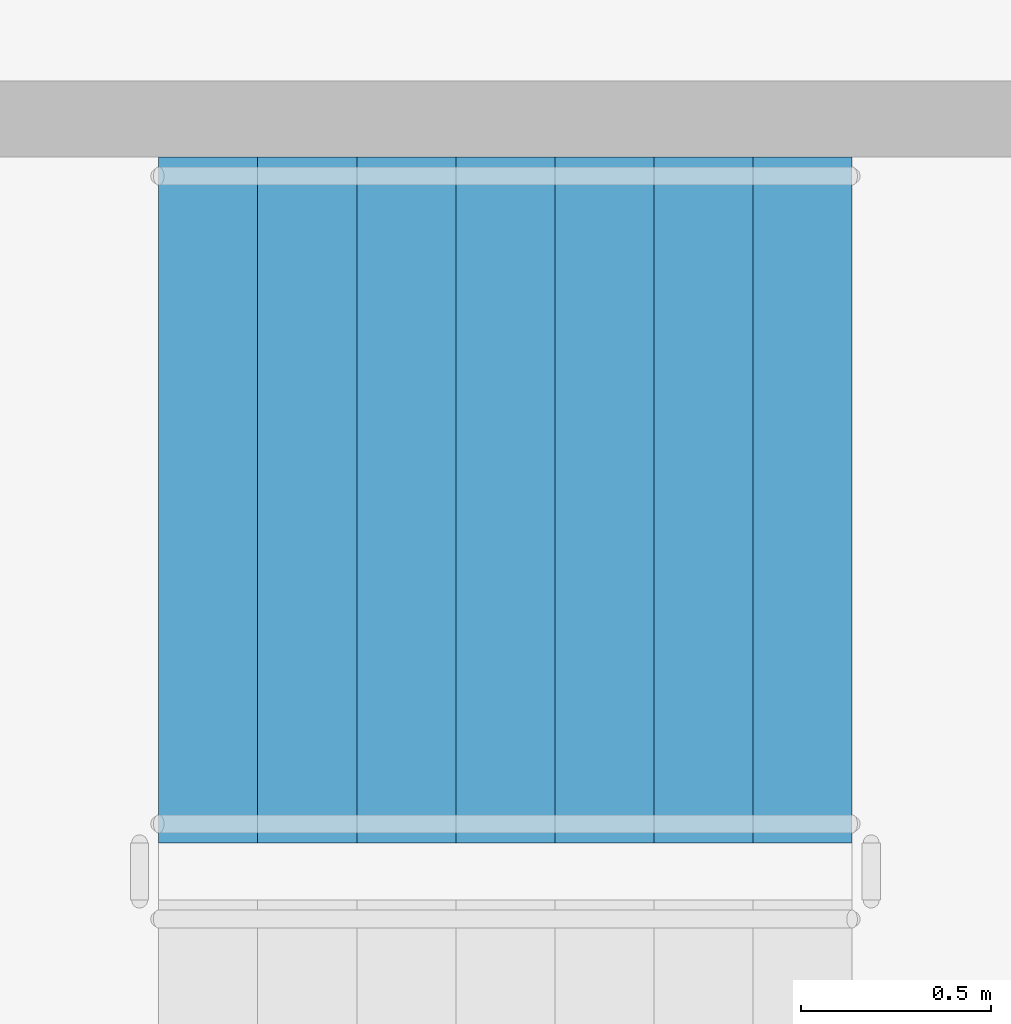
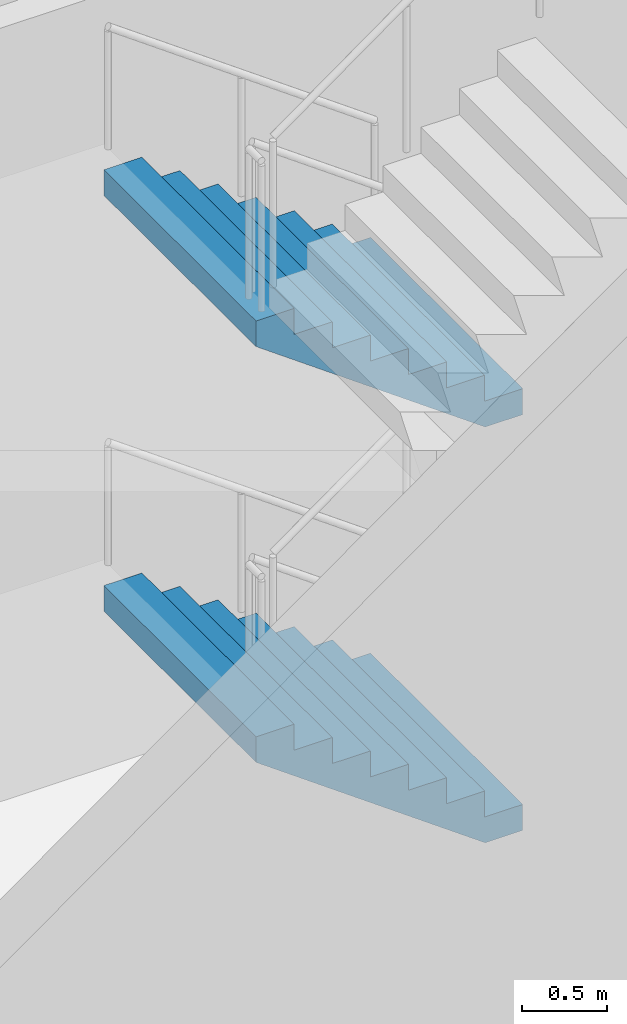
# One storey, part 61 of 75: 2 stair flights, 1 element without a shape of its own.
"""IFC4 building model written with IfcOpenShell, lengths in metres."""

from ifc_helpers import new_model, si_unit, direction, frame, origin, place, context, subcontext, project, spatial, faceted_brep, material, type_object, element, aggregate, save


model = new_model("IFC4")

# Units and contexts
model_context = context("Model", 3, precision=1e-05, world=origin(), true_north=direction((0.0, 1.0)))
body_context = subcontext(model_context, "Body", "Model", "MODEL_VIEW")
ifc_project = project(units=[si_unit("LENGTHUNIT", "METRE"), si_unit("AREAUNIT", "SQUARE_METRE"), si_unit("VOLUMEUNIT", "CUBIC_METRE"), si_unit("PLANEANGLEUNIT", "RADIAN"), si_unit("MASSUNIT", "GRAM", prefix="KILO")], contexts=[model_context])

# Site, building, storey
site_placement = place(None, origin())
site = spatial("IfcSite", under=ifc_project, at=site_placement, CompositionType="ELEMENT")
building_placement = place(site_placement, origin())
building = spatial("IfcBuilding", under=site, at=building_placement, Name="Ipe Terrace Towers", CompositionType="ELEMENT")
storey_placement = place(building_placement, origin())
storey = spatial("IfcBuildingStorey", under=building, at=storey_placement, Name="L00", CompositionType="ELEMENT", Elevation=0.0)

# Stair, stair flights
ifc_material_1 = material(Name="Concrete C30/37", Category="concrete")
stair_type = type_object("IfcStairType", Name="Protected exit stair", PredefinedType="HALF_TURN_STAIR", material=ifc_material_1)
stair_placement = place(storey_placement, origin())
stair = element("IfcStair", 1, at=stair_placement, inside=storey, type_object=stair_type, Name="L00 Podium exit stair PS3", PredefinedType="HALF_TURN_STAIR")
ifc_material_2 = material(Name="Concrete C30/37", Category="concrete")
stair_flight_type = type_object("IfcStairFlightType", Name="Exit stair flight 1800", PredefinedType="STRAIGHT", material=ifc_material_2)
stair_flight_1_placement = place(storey_placement, frame((52.77001953125, 25.5, 0.0), z_axis=(0.0, 0.0, 1.0), x_axis=(-1.0, 0.0, 0.0)))
stair_flight_1 = element("IfcStairFlight", 2, at=stair_flight_1_placement, type_object=stair_flight_type, Name="PS3 flight 1", NumberOfRisers=8, NumberOfTreads=7, PredefinedType="STRAIGHT", RiserHeight=0.1875, TreadLength=0.26, context=body_context, shape_type="Brep", body=[
    faceted_brep([(0.25634765625, -0.89990234375, 0.0), (1.820068359375, -0.89990234375, 1.127685546875), (1.820068359375, -0.89990234375, 1.3125), (1.56005859375, -0.89990234375, 1.3125), (1.56005859375, -0.89990234375, 1.125), (1.300048828125, -0.89990234375, 1.125), (1.300048828125, -0.89990234375, 0.9375), (1.0400390625, -0.89990234375, 0.9375), (1.0400390625, -0.89990234375, 0.75), (0.780029296875, -0.89990234375, 0.75), (0.780029296875, -0.89990234375, 0.5625), (0.52001953125, -0.89990234375, 0.5625), (0.52001953125, -0.89990234375, 0.375), (0.260009765625, -0.89990234375, 0.375), (0.260009765625, -0.89990234375, 0.1875), (0.0, -0.89990234375, 0.1875), (0.0, -0.89990234375, 0.0), (0.0, 0.89990234375, 0.0), (0.0, 0.89990234375, 0.1875), (0.260009765625, 0.89990234375, 0.1875), (0.260009765625, 0.89990234375, 0.375), (0.52001953125, 0.89990234375, 0.375), (0.52001953125, 0.89990234375, 0.5625), (0.780029296875, 0.89990234375, 0.5625), (0.780029296875, 0.89990234375, 0.75), (1.0400390625, 0.89990234375, 0.75), (1.0400390625, 0.89990234375, 0.9375), (1.300048828125, 0.89990234375, 0.9375), (1.300048828125, 0.89990234375, 1.125), (1.56005859375, 0.89990234375, 1.125), (1.56005859375, 0.89990234375, 1.3125), (1.820068359375, 0.89990234375, 1.3125), (1.820068359375, 0.89990234375, 1.127685546875), (0.25634765625, 0.89990234375, 0.0), (0.0, -0.300048828125, 0.1875), (0.0, -0.1201171875, 0.1875), (0.0, -0.06005859375, 0.1875), (0.0, -0.030029296875, 0.1875), (0.0, -0.010009765625, 0.1875), (0.0, 0.0, 0.1875), (0.0, 0.010009765625, 0.1875), (0.0, 0.030029296875, 0.1875), (0.0, 0.06005859375, 0.1875), (0.0, 0.1201171875, 0.1875), (0.0, 0.300048828125, 0.1875), (0.0, 0.300048828125, 0.0), (0.0, 0.1201171875, 0.0), (0.0, 0.06005859375, 0.0), (0.0, 0.030029296875, 0.0), (0.0, 0.010009765625, 0.0), (0.0, 0.0, 0.0), (0.0, -0.010009765625, 0.0), (0.0, -0.030029296875, 0.0), (0.0, -0.06005859375, 0.0), (0.0, -0.1201171875, 0.0), (0.0, -0.300048828125, 0.0), (0.260009765625, -0.300048828125, 0.1875), (0.260009765625, -0.1201171875, 0.1875), (0.260009765625, -0.06005859375, 0.1875), (0.260009765625, -0.030029296875, 0.1875), (0.260009765625, -0.010009765625, 0.1875), (0.260009765625, 0.0, 0.1875), (0.260009765625, 0.010009765625, 0.1875), (0.260009765625, 0.030029296875, 0.1875), (0.260009765625, 0.06005859375, 0.1875), (0.260009765625, 0.1201171875, 0.1875), (0.260009765625, 0.300048828125, 0.1875), (0.260009765625, -0.300048828125, 0.375), (0.260009765625, -0.1201171875, 0.375), (0.260009765625, -0.06005859375, 0.375), (0.260009765625, -0.030029296875, 0.375), (0.260009765625, -0.010009765625, 0.375), (0.260009765625, 0.0, 0.375), (0.260009765625, 0.010009765625, 0.375), (0.260009765625, 0.030029296875, 0.375), (0.260009765625, 0.06005859375, 0.375), (0.260009765625, 0.1201171875, 0.375), (0.260009765625, 0.300048828125, 0.375), (0.52001953125, -0.300048828125, 0.375), (0.52001953125, -0.1201171875, 0.375), (0.52001953125, -0.06005859375, 0.375), (0.52001953125, -0.030029296875, 0.375), (0.52001953125, -0.010009765625, 0.375), (0.52001953125, 0.0, 0.375), (0.52001953125, 0.010009765625, 0.375), (0.52001953125, 0.030029296875, 0.375), (0.52001953125, 0.06005859375, 0.375), (0.52001953125, 0.1201171875, 0.375), (0.52001953125, 0.300048828125, 0.375), (0.52001953125, -0.300048828125, 0.5625), (0.52001953125, -0.1201171875, 0.5625), (0.52001953125, -0.06005859375, 0.5625), (0.52001953125, -0.030029296875, 0.5625), (0.52001953125, -0.010009765625, 0.5625), (0.52001953125, 0.0, 0.5625), (0.52001953125, 0.010009765625, 0.5625), (0.52001953125, 0.030029296875, 0.5625), (0.52001953125, 0.06005859375, 0.5625), (0.52001953125, 0.1201171875, 0.5625), (0.52001953125, 0.300048828125, 0.5625), (0.780029296875, -0.300048828125, 0.5625), (0.780029296875, -0.1201171875, 0.5625), (0.780029296875, -0.06005859375, 0.5625), (0.780029296875, -0.030029296875, 0.5625), (0.780029296875, -0.010009765625, 0.5625), (0.780029296875, 0.0, 0.5625), (0.780029296875, 0.010009765625, 0.5625), (0.780029296875, 0.030029296875, 0.5625), (0.780029296875, 0.06005859375, 0.5625), (0.780029296875, 0.1201171875, 0.5625), (0.780029296875, 0.300048828125, 0.5625), (0.780029296875, -0.300048828125, 0.75), (0.780029296875, -0.1201171875, 0.75), (0.780029296875, -0.06005859375, 0.75), (0.780029296875, -0.030029296875, 0.75), (0.780029296875, -0.010009765625, 0.75), (0.780029296875, 0.0, 0.75), (0.780029296875, 0.010009765625, 0.75), (0.780029296875, 0.030029296875, 0.75), (0.780029296875, 0.06005859375, 0.75), (0.780029296875, 0.1201171875, 0.75), (0.780029296875, 0.300048828125, 0.75), (1.0400390625, -0.300048828125, 0.75), (1.0400390625, -0.1201171875, 0.75), (1.0400390625, -0.06005859375, 0.75), (1.0400390625, -0.030029296875, 0.75), (1.0400390625, -0.010009765625, 0.75), (1.0400390625, 0.0, 0.75), (1.0400390625, 0.010009765625, 0.75), (1.0400390625, 0.030029296875, 0.75), (1.0400390625, 0.06005859375, 0.75), (1.0400390625, 0.1201171875, 0.75), (1.0400390625, 0.300048828125, 0.75), (1.0400390625, -0.300048828125, 0.9375), (1.0400390625, -0.1201171875, 0.9375), (1.0400390625, -0.06005859375, 0.9375), (1.0400390625, -0.030029296875, 0.9375), (1.0400390625, -0.010009765625, 0.9375), (1.0400390625, 0.0, 0.9375), (1.0400390625, 0.010009765625, 0.9375), (1.0400390625, 0.030029296875, 0.9375), (1.0400390625, 0.06005859375, 0.9375), (1.0400390625, 0.1201171875, 0.9375), (1.0400390625, 0.300048828125, 0.9375), (1.300048828125, -0.300048828125, 0.9375), (1.300048828125, -0.1201171875, 0.9375), (1.300048828125, -0.06005859375, 0.9375), (1.300048828125, -0.030029296875, 0.9375), (1.300048828125, -0.010009765625, 0.9375), (1.300048828125, 0.0, 0.9375), (1.300048828125, 0.010009765625, 0.9375), (1.300048828125, 0.030029296875, 0.9375), (1.300048828125, 0.06005859375, 0.9375), (1.300048828125, 0.1201171875, 0.9375), (1.300048828125, 0.300048828125, 0.9375), (1.300048828125, -0.300048828125, 1.125), (1.300048828125, -0.1201171875, 1.125), (1.300048828125, -0.06005859375, 1.125), (1.300048828125, -0.030029296875, 1.125), (1.300048828125, -0.010009765625, 1.125), (1.300048828125, 0.0, 1.125), (1.300048828125, 0.010009765625, 1.125), (1.300048828125, 0.030029296875, 1.125), (1.300048828125, 0.06005859375, 1.125), (1.300048828125, 0.1201171875, 1.125), (1.300048828125, 0.300048828125, 1.125), (1.56005859375, -0.300048828125, 1.125), (1.56005859375, -0.1201171875, 1.125), (1.56005859375, -0.06005859375, 1.125), (1.56005859375, -0.030029296875, 1.125), (1.56005859375, -0.010009765625, 1.125), (1.56005859375, 0.0, 1.125), (1.56005859375, 0.010009765625, 1.125), (1.56005859375, 0.030029296875, 1.125), (1.56005859375, 0.06005859375, 1.125), (1.56005859375, 0.1201171875, 1.125), (1.56005859375, 0.300048828125, 1.125), (1.56005859375, -0.300048828125, 1.3125), (1.56005859375, -0.1201171875, 1.3125), (1.56005859375, -0.06005859375, 1.3125), (1.56005859375, -0.030029296875, 1.3125), (1.56005859375, -0.010009765625, 1.3125), (1.56005859375, 0.0, 1.3125), (1.56005859375, 0.010009765625, 1.3125), (1.56005859375, 0.030029296875, 1.3125), (1.56005859375, 0.06005859375, 1.3125), (1.56005859375, 0.1201171875, 1.3125), (1.56005859375, 0.300048828125, 1.3125), (1.820068359375, -0.300048828125, 1.3125), (1.820068359375, -0.1201171875, 1.3125), (1.820068359375, -0.06005859375, 1.3125), (1.820068359375, -0.030029296875, 1.3125), (1.820068359375, -0.010009765625, 1.3125), (1.820068359375, 0.0, 1.3125), (1.820068359375, 0.010009765625, 1.3125), (1.820068359375, 0.030029296875, 1.3125), (1.820068359375, 0.06005859375, 1.3125), (1.820068359375, 0.1201171875, 1.3125), (1.820068359375, 0.300048828125, 1.3125), (1.820068359375, -0.300048828125, 1.127685546875), (1.820068359375, -0.1201171875, 1.127685546875), (1.820068359375, -0.06005859375, 1.127685546875), (1.820068359375, -0.030029296875, 1.127685546875), (1.820068359375, -0.010009765625, 1.127685546875), (1.820068359375, 0.0, 1.127685546875), (1.820068359375, 0.010009765625, 1.127685546875), (1.820068359375, 0.030029296875, 1.127685546875), (1.820068359375, 0.06005859375, 1.127685546875), (1.820068359375, 0.1201171875, 1.127685546875), (1.820068359375, 0.300048828125, 1.127685546875), (0.25634765625, -0.300048828125, 0.0), (0.25634765625, -0.1201171875, 0.0), (0.25634765625, -0.06005859375, 0.0), (0.25634765625, -0.030029296875, 0.0), (0.25634765625, -0.010009765625, 0.0), (0.25634765625, 0.0, 0.0), (0.25634765625, 0.010009765625, 0.0), (0.25634765625, 0.030029296875, 0.0), (0.25634765625, 0.06005859375, 0.0), (0.25634765625, 0.1201171875, 0.0), (0.25634765625, 0.300048828125, 0.0)], [[[0, 1, 2, 3, 4, 5, 6, 7, 8, 9, 10, 11, 12, 13, 14, 15, 16]], [[17, 18, 19, 20, 21, 22, 23, 24, 25, 26, 27, 28, 29, 30, 31, 32, 33]], [[15, 34, 35, 36, 37, 38, 39, 40, 41, 42, 43, 44, 18, 17, 45, 46, 47, 48, 49, 50, 51, 52, 53, 54, 55, 16]], [[14, 56, 57, 58, 59, 60, 61, 62, 63, 64, 65, 66, 19, 18, 44, 43, 42, 41, 40, 39, 38, 37, 36, 35, 34, 15]], [[13, 67, 68, 69, 70, 71, 72, 73, 74, 75, 76, 77, 20, 19, 66, 65, 64, 63, 62, 61, 60, 59, 58, 57, 56, 14]], [[12, 78, 79, 80, 81, 82, 83, 84, 85, 86, 87, 88, 21, 20, 77, 76, 75, 74, 73, 72, 71, 70, 69, 68, 67, 13]], [[11, 89, 90, 91, 92, 93, 94, 95, 96, 97, 98, 99, 22, 21, 88, 87, 86, 85, 84, 83, 82, 81, 80, 79, 78, 12]], [[10, 100, 101, 102, 103, 104, 105, 106, 107, 108, 109, 110, 23, 22, 99, 98, 97, 96, 95, 94, 93, 92, 91, 90, 89, 11]], [[9, 111, 112, 113, 114, 115, 116, 117, 118, 119, 120, 121, 24, 23, 110, 109, 108, 107, 106, 105, 104, 103, 102, 101, 100, 10]], [[8, 122, 123, 124, 125, 126, 127, 128, 129, 130, 131, 132, 25, 24, 121, 120, 119, 118, 117, 116, 115, 114, 113, 112, 111, 9]], [[7, 133, 134, 135, 136, 137, 138, 139, 140, 141, 142, 143, 26, 25, 132, 131, 130, 129, 128, 127, 126, 125, 124, 123, 122, 8]], [[6, 144, 145, 146, 147, 148, 149, 150, 151, 152, 153, 154, 27, 26, 143, 142, 141, 140, 139, 138, 137, 136, 135, 134, 133, 7]], [[5, 155, 156, 157, 158, 159, 160, 161, 162, 163, 164, 165, 28, 27, 154, 153, 152, 151, 150, 149, 148, 147, 146, 145, 144, 6]], [[4, 166, 167, 168, 169, 170, 171, 172, 173, 174, 175, 176, 29, 28, 165, 164, 163, 162, 161, 160, 159, 158, 157, 156, 155, 5]], [[3, 177, 178, 179, 180, 181, 182, 183, 184, 185, 186, 187, 30, 29, 176, 175, 174, 173, 172, 171, 170, 169, 168, 167, 166, 4]], [[2, 188, 189, 190, 191, 192, 193, 194, 195, 196, 197, 198, 31, 30, 187, 186, 185, 184, 183, 182, 181, 180, 179, 178, 177, 3]], [[1, 199, 200, 201, 202, 203, 204, 205, 206, 207, 208, 209, 32, 31, 198, 197, 196, 195, 194, 193, 192, 191, 190, 189, 188, 2]], [[0, 210, 211, 212, 213, 214, 215, 216, 217, 218, 219, 220, 33, 32, 209, 208, 207, 206, 205, 204, 203, 202, 201, 200, 199, 1]], [[16, 55, 54, 53, 52, 51, 50, 49, 48, 47, 46, 45, 17, 33, 220, 219, 218, 217, 216, 215, 214, 213, 212, 211, 210, 0]]]),
])
stair_flight_2_placement = place(storey_placement, frame((52.77001953125, 25.5, 3.0), z_axis=(0.0, 0.0, 1.0), x_axis=(-1.0, 0.0, 0.0)))
stair_flight_2 = element("IfcStairFlight", 3, at=stair_flight_2_placement, type_object=stair_flight_type, Name="PS3 flight 3", NumberOfRisers=8, NumberOfTreads=7, PredefinedType="STRAIGHT", RiserHeight=0.1875, TreadLength=0.26, context=body_context, shape_type="Brep", body=[
    faceted_brep([(0.25634765625, -0.89990234375, 0.0), (1.820068359375, -0.89990234375, 1.127685546875), (1.820068359375, -0.89990234375, 1.3125), (1.56005859375, -0.89990234375, 1.3125), (1.56005859375, -0.89990234375, 1.125), (1.300048828125, -0.89990234375, 1.125), (1.300048828125, -0.89990234375, 0.9375), (1.0400390625, -0.89990234375, 0.9375), (1.0400390625, -0.89990234375, 0.75), (0.780029296875, -0.89990234375, 0.75), (0.780029296875, -0.89990234375, 0.5625), (0.52001953125, -0.89990234375, 0.5625), (0.52001953125, -0.89990234375, 0.375), (0.260009765625, -0.89990234375, 0.375), (0.260009765625, -0.89990234375, 0.1875), (0.0, -0.89990234375, 0.1875), (0.0, -0.89990234375, 0.0), (0.0, 0.89990234375, 0.0), (0.0, 0.89990234375, 0.1875), (0.260009765625, 0.89990234375, 0.1875), (0.260009765625, 0.89990234375, 0.375), (0.52001953125, 0.89990234375, 0.375), (0.52001953125, 0.89990234375, 0.5625), (0.780029296875, 0.89990234375, 0.5625), (0.780029296875, 0.89990234375, 0.75), (1.0400390625, 0.89990234375, 0.75), (1.0400390625, 0.89990234375, 0.9375), (1.300048828125, 0.89990234375, 0.9375), (1.300048828125, 0.89990234375, 1.125), (1.56005859375, 0.89990234375, 1.125), (1.56005859375, 0.89990234375, 1.3125), (1.820068359375, 0.89990234375, 1.3125), (1.820068359375, 0.89990234375, 1.127685546875), (0.25634765625, 0.89990234375, 0.0), (0.0, -0.300048828125, 0.1875), (0.0, -0.1201171875, 0.1875), (0.0, -0.06005859375, 0.1875), (0.0, -0.030029296875, 0.1875), (0.0, -0.010009765625, 0.1875), (0.0, 0.0, 0.1875), (0.0, 0.010009765625, 0.1875), (0.0, 0.030029296875, 0.1875), (0.0, 0.06005859375, 0.1875), (0.0, 0.1201171875, 0.1875), (0.0, 0.300048828125, 0.1875), (0.0, 0.300048828125, 0.0), (0.0, 0.1201171875, 0.0), (0.0, 0.06005859375, 0.0), (0.0, 0.030029296875, 0.0), (0.0, 0.010009765625, 0.0), (0.0, 0.0, 0.0), (0.0, -0.010009765625, 0.0), (0.0, -0.030029296875, 0.0), (0.0, -0.06005859375, 0.0), (0.0, -0.1201171875, 0.0), (0.0, -0.300048828125, 0.0), (0.260009765625, -0.300048828125, 0.1875), (0.260009765625, -0.1201171875, 0.1875), (0.260009765625, -0.06005859375, 0.1875), (0.260009765625, -0.030029296875, 0.1875), (0.260009765625, -0.010009765625, 0.1875), (0.260009765625, 0.0, 0.1875), (0.260009765625, 0.010009765625, 0.1875), (0.260009765625, 0.030029296875, 0.1875), (0.260009765625, 0.06005859375, 0.1875), (0.260009765625, 0.1201171875, 0.1875), (0.260009765625, 0.300048828125, 0.1875), (0.260009765625, -0.300048828125, 0.375), (0.260009765625, -0.1201171875, 0.375), (0.260009765625, -0.06005859375, 0.375), (0.260009765625, -0.030029296875, 0.375), (0.260009765625, -0.010009765625, 0.375), (0.260009765625, 0.0, 0.375), (0.260009765625, 0.010009765625, 0.375), (0.260009765625, 0.030029296875, 0.375), (0.260009765625, 0.06005859375, 0.375), (0.260009765625, 0.1201171875, 0.375), (0.260009765625, 0.300048828125, 0.375), (0.52001953125, -0.300048828125, 0.375), (0.52001953125, -0.1201171875, 0.375), (0.52001953125, -0.06005859375, 0.375), (0.52001953125, -0.030029296875, 0.375), (0.52001953125, -0.010009765625, 0.375), (0.52001953125, 0.0, 0.375), (0.52001953125, 0.010009765625, 0.375), (0.52001953125, 0.030029296875, 0.375), (0.52001953125, 0.06005859375, 0.375), (0.52001953125, 0.1201171875, 0.375), (0.52001953125, 0.300048828125, 0.375), (0.52001953125, -0.300048828125, 0.5625), (0.52001953125, -0.1201171875, 0.5625), (0.52001953125, -0.06005859375, 0.5625), (0.52001953125, -0.030029296875, 0.5625), (0.52001953125, -0.010009765625, 0.5625), (0.52001953125, 0.0, 0.5625), (0.52001953125, 0.010009765625, 0.5625), (0.52001953125, 0.030029296875, 0.5625), (0.52001953125, 0.06005859375, 0.5625), (0.52001953125, 0.1201171875, 0.5625), (0.52001953125, 0.300048828125, 0.5625), (0.780029296875, -0.300048828125, 0.5625), (0.780029296875, -0.1201171875, 0.5625), (0.780029296875, -0.06005859375, 0.5625), (0.780029296875, -0.030029296875, 0.5625), (0.780029296875, -0.010009765625, 0.5625), (0.780029296875, 0.0, 0.5625), (0.780029296875, 0.010009765625, 0.5625), (0.780029296875, 0.030029296875, 0.5625), (0.780029296875, 0.06005859375, 0.5625), (0.780029296875, 0.1201171875, 0.5625), (0.780029296875, 0.300048828125, 0.5625), (0.780029296875, -0.300048828125, 0.75), (0.780029296875, -0.1201171875, 0.75), (0.780029296875, -0.06005859375, 0.75), (0.780029296875, -0.030029296875, 0.75), (0.780029296875, -0.010009765625, 0.75), (0.780029296875, 0.0, 0.75), (0.780029296875, 0.010009765625, 0.75), (0.780029296875, 0.030029296875, 0.75), (0.780029296875, 0.06005859375, 0.75), (0.780029296875, 0.1201171875, 0.75), (0.780029296875, 0.300048828125, 0.75), (1.0400390625, -0.300048828125, 0.75), (1.0400390625, -0.1201171875, 0.75), (1.0400390625, -0.06005859375, 0.75), (1.0400390625, -0.030029296875, 0.75), (1.0400390625, -0.010009765625, 0.75), (1.0400390625, 0.0, 0.75), (1.0400390625, 0.010009765625, 0.75), (1.0400390625, 0.030029296875, 0.75), (1.0400390625, 0.06005859375, 0.75), (1.0400390625, 0.1201171875, 0.75), (1.0400390625, 0.300048828125, 0.75), (1.0400390625, -0.300048828125, 0.9375), (1.0400390625, -0.1201171875, 0.9375), (1.0400390625, -0.06005859375, 0.9375), (1.0400390625, -0.030029296875, 0.9375), (1.0400390625, -0.010009765625, 0.9375), (1.0400390625, 0.0, 0.9375), (1.0400390625, 0.010009765625, 0.9375), (1.0400390625, 0.030029296875, 0.9375), (1.0400390625, 0.06005859375, 0.9375), (1.0400390625, 0.1201171875, 0.9375), (1.0400390625, 0.300048828125, 0.9375), (1.300048828125, -0.300048828125, 0.9375), (1.300048828125, -0.1201171875, 0.9375), (1.300048828125, -0.06005859375, 0.9375), (1.300048828125, -0.030029296875, 0.9375), (1.300048828125, -0.010009765625, 0.9375), (1.300048828125, 0.0, 0.9375), (1.300048828125, 0.010009765625, 0.9375), (1.300048828125, 0.030029296875, 0.9375), (1.300048828125, 0.06005859375, 0.9375), (1.300048828125, 0.1201171875, 0.9375), (1.300048828125, 0.300048828125, 0.9375), (1.300048828125, -0.300048828125, 1.125), (1.300048828125, -0.1201171875, 1.125), (1.300048828125, -0.06005859375, 1.125), (1.300048828125, -0.030029296875, 1.125), (1.300048828125, -0.010009765625, 1.125), (1.300048828125, 0.0, 1.125), (1.300048828125, 0.010009765625, 1.125), (1.300048828125, 0.030029296875, 1.125), (1.300048828125, 0.06005859375, 1.125), (1.300048828125, 0.1201171875, 1.125), (1.300048828125, 0.300048828125, 1.125), (1.56005859375, -0.300048828125, 1.125), (1.56005859375, -0.1201171875, 1.125), (1.56005859375, -0.06005859375, 1.125), (1.56005859375, -0.030029296875, 1.125), (1.56005859375, -0.010009765625, 1.125), (1.56005859375, 0.0, 1.125), (1.56005859375, 0.010009765625, 1.125), (1.56005859375, 0.030029296875, 1.125), (1.56005859375, 0.06005859375, 1.125), (1.56005859375, 0.1201171875, 1.125), (1.56005859375, 0.300048828125, 1.125), (1.56005859375, -0.300048828125, 1.3125), (1.56005859375, -0.1201171875, 1.3125), (1.56005859375, -0.06005859375, 1.3125), (1.56005859375, -0.030029296875, 1.3125), (1.56005859375, -0.010009765625, 1.3125), (1.56005859375, 0.0, 1.3125), (1.56005859375, 0.010009765625, 1.3125), (1.56005859375, 0.030029296875, 1.3125), (1.56005859375, 0.06005859375, 1.3125), (1.56005859375, 0.1201171875, 1.3125), (1.56005859375, 0.300048828125, 1.3125), (1.820068359375, -0.300048828125, 1.3125), (1.820068359375, -0.1201171875, 1.3125), (1.820068359375, -0.06005859375, 1.3125), (1.820068359375, -0.030029296875, 1.3125), (1.820068359375, -0.010009765625, 1.3125), (1.820068359375, 0.0, 1.3125), (1.820068359375, 0.010009765625, 1.3125), (1.820068359375, 0.030029296875, 1.3125), (1.820068359375, 0.06005859375, 1.3125), (1.820068359375, 0.1201171875, 1.3125), (1.820068359375, 0.300048828125, 1.3125), (1.820068359375, -0.300048828125, 1.127685546875), (1.820068359375, -0.1201171875, 1.127685546875), (1.820068359375, -0.06005859375, 1.127685546875), (1.820068359375, -0.030029296875, 1.127685546875), (1.820068359375, -0.010009765625, 1.127685546875), (1.820068359375, 0.0, 1.127685546875), (1.820068359375, 0.010009765625, 1.127685546875), (1.820068359375, 0.030029296875, 1.127685546875), (1.820068359375, 0.06005859375, 1.127685546875), (1.820068359375, 0.1201171875, 1.127685546875), (1.820068359375, 0.300048828125, 1.127685546875), (0.25634765625, -0.300048828125, 0.0), (0.25634765625, -0.1201171875, 0.0), (0.25634765625, -0.06005859375, 0.0), (0.25634765625, -0.030029296875, 0.0), (0.25634765625, -0.010009765625, 0.0), (0.25634765625, 0.0, 0.0), (0.25634765625, 0.010009765625, 0.0), (0.25634765625, 0.030029296875, 0.0), (0.25634765625, 0.06005859375, 0.0), (0.25634765625, 0.1201171875, 0.0), (0.25634765625, 0.300048828125, 0.0)], [[[0, 1, 2, 3, 4, 5, 6, 7, 8, 9, 10, 11, 12, 13, 14, 15, 16]], [[17, 18, 19, 20, 21, 22, 23, 24, 25, 26, 27, 28, 29, 30, 31, 32, 33]], [[15, 34, 35, 36, 37, 38, 39, 40, 41, 42, 43, 44, 18, 17, 45, 46, 47, 48, 49, 50, 51, 52, 53, 54, 55, 16]], [[14, 56, 57, 58, 59, 60, 61, 62, 63, 64, 65, 66, 19, 18, 44, 43, 42, 41, 40, 39, 38, 37, 36, 35, 34, 15]], [[13, 67, 68, 69, 70, 71, 72, 73, 74, 75, 76, 77, 20, 19, 66, 65, 64, 63, 62, 61, 60, 59, 58, 57, 56, 14]], [[12, 78, 79, 80, 81, 82, 83, 84, 85, 86, 87, 88, 21, 20, 77, 76, 75, 74, 73, 72, 71, 70, 69, 68, 67, 13]], [[11, 89, 90, 91, 92, 93, 94, 95, 96, 97, 98, 99, 22, 21, 88, 87, 86, 85, 84, 83, 82, 81, 80, 79, 78, 12]], [[10, 100, 101, 102, 103, 104, 105, 106, 107, 108, 109, 110, 23, 22, 99, 98, 97, 96, 95, 94, 93, 92, 91, 90, 89, 11]], [[9, 111, 112, 113, 114, 115, 116, 117, 118, 119, 120, 121, 24, 23, 110, 109, 108, 107, 106, 105, 104, 103, 102, 101, 100, 10]], [[8, 122, 123, 124, 125, 126, 127, 128, 129, 130, 131, 132, 25, 24, 121, 120, 119, 118, 117, 116, 115, 114, 113, 112, 111, 9]], [[7, 133, 134, 135, 136, 137, 138, 139, 140, 141, 142, 143, 26, 25, 132, 131, 130, 129, 128, 127, 126, 125, 124, 123, 122, 8]], [[6, 144, 145, 146, 147, 148, 149, 150, 151, 152, 153, 154, 27, 26, 143, 142, 141, 140, 139, 138, 137, 136, 135, 134, 133, 7]], [[5, 155, 156, 157, 158, 159, 160, 161, 162, 163, 164, 165, 28, 27, 154, 153, 152, 151, 150, 149, 148, 147, 146, 145, 144, 6]], [[4, 166, 167, 168, 169, 170, 171, 172, 173, 174, 175, 176, 29, 28, 165, 164, 163, 162, 161, 160, 159, 158, 157, 156, 155, 5]], [[3, 177, 178, 179, 180, 181, 182, 183, 184, 185, 186, 187, 30, 29, 176, 175, 174, 173, 172, 171, 170, 169, 168, 167, 166, 4]], [[2, 188, 189, 190, 191, 192, 193, 194, 195, 196, 197, 198, 31, 30, 187, 186, 185, 184, 183, 182, 181, 180, 179, 178, 177, 3]], [[1, 199, 200, 201, 202, 203, 204, 205, 206, 207, 208, 209, 32, 31, 198, 197, 196, 195, 194, 193, 192, 191, 190, 189, 188, 2]], [[0, 210, 211, 212, 213, 214, 215, 216, 217, 218, 219, 220, 33, 32, 209, 208, 207, 206, 205, 204, 203, 202, 201, 200, 199, 1]], [[16, 55, 54, 53, 52, 51, 50, 49, 48, 47, 46, 45, 17, 33, 220, 219, 218, 217, 216, 215, 214, 213, 212, 211, 210, 0]]]),
])
aggregate(stair, [stair_flight_1, stair_flight_2])

save(model, "model.ifc")
